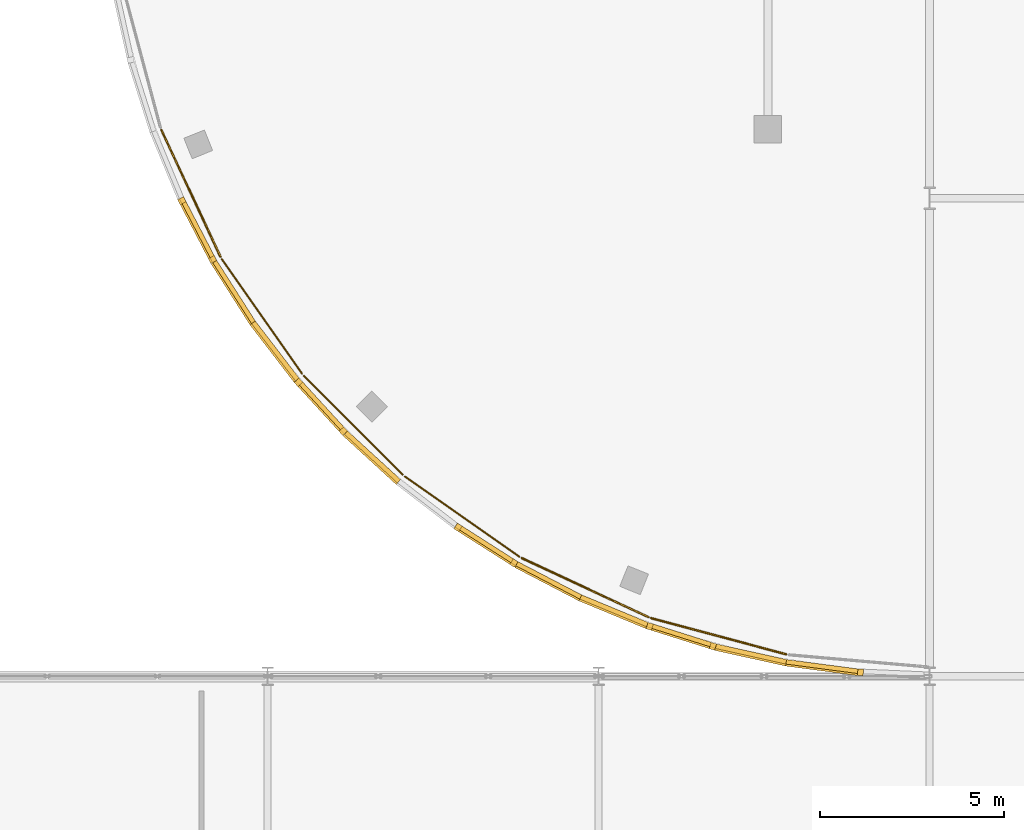
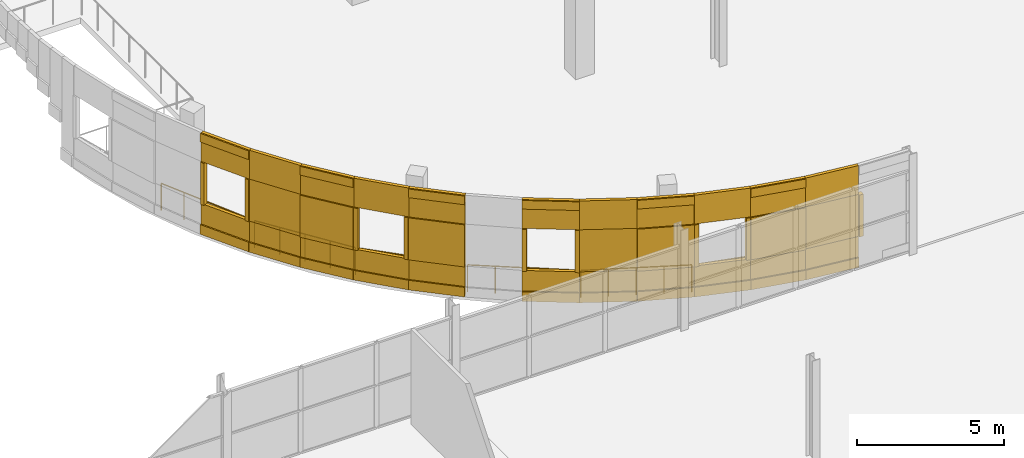
# One storey, part 122 of 135: 55 coverings, 6 railings.
"""IFC4 building model written with IfcOpenShell, lengths in metres."""

from ifc_helpers import new_model, si_unit, direction, frame, origin, origin_2d, place, context, subcontext, project, spatial, rectangle, circle, extrude, material, layer, layer_set, type_object, element, save


model = new_model("IFC4")

# Units and contexts
model_context = context("Model", 3, precision=1e-05, world=origin(), true_north=direction((0.0, 1.0)))
body_context = subcontext(model_context, "Body", "Model", "MODEL_VIEW")
ifc_project = project(units=[si_unit("LENGTHUNIT", "METRE"), si_unit("AREAUNIT", "SQUARE_METRE"), si_unit("VOLUMEUNIT", "CUBIC_METRE"), si_unit("PLANEANGLEUNIT", "RADIAN"), si_unit("MASSUNIT", "GRAM", prefix="KILO")], contexts=[model_context])

# Site, building, storey
site_placement = place(None, origin())
site = spatial("IfcSite", under=ifc_project, at=site_placement, CompositionType="ELEMENT")
building_placement = place(site_placement, origin())
building = spatial("IfcBuilding", under=site, at=building_placement, Name="Deido Ridge Mobility Hub", CompositionType="ELEMENT")
storey_placement = place(building_placement, frame((0.0, 0.0, 4.199951171875)))
storey = spatial("IfcBuildingStorey", under=building, at=storey_placement, Name="L01", CompositionType="ELEMENT", Elevation=4.199951171875)

# Coverings
ifc_material_1 = material(Name="Fired clay brick masonry", Category="masonry")
ifc_layer = layer(ifc_material_1, 0.114990234375, Name="Fired clay brick masonry")
ifc_layer_set = layer_set([ifc_layer], Name="Fired clay brick masonry")
covering_type = type_object("IfcCoveringType", Name="COV-BRK-SCREEN-115", PredefinedType="CLADDING", material=ifc_layer_set)
covering_1_placement = place(storey_placement, frame((25.107666015625, 93.144775390625, 0.0), z_axis=(0.0, 0.0, 1.0), x_axis=(0.461733131905, -0.887018892077, 0.0)))
element("IfcCovering", 1, at=covering_1_placement, inside=storey, type_object=covering_type, Name="Open brickwork spandrel course BKS1 (L01)", PredefinedType="CLADDING", context=body_context, shape_type="SweptSolid", body=[
    extrude(rectangle(XDim=1.9619140625, YDim=0.125, at=origin_2d()), origin(), (0.0, 0.0, 1.0), 1.25),
])
covering_2_placement = place(storey_placement, frame((25.083251953125, 93.132080078125, 0.0), z_axis=(0.0, 0.0, 1.0), x_axis=(0.461733131905, -0.887018892077, 0.0)))
element("IfcCovering", 2, at=covering_2_placement, inside=storey, type_object=covering_type, Name="Raised brick relief belt BKS1 (L01)", PredefinedType="CLADDING", context=body_context, shape_type="SweptSolid", body=[
    extrude(rectangle(XDim=1.9619140625, YDim=0.179931640625, at=origin_2d()), origin(), (0.0, 0.0, 1.0), 0.39990234375),
])
covering_3_placement = place(storey_placement, frame((25.107666015625, 93.144775390625, 3.0), z_axis=(0.0, 0.0, 1.0), x_axis=(0.461733131905, -0.887018892077, 0.0)))
element("IfcCovering", 3, at=covering_3_placement, inside=storey, type_object=covering_type, Name="Open brickwork lintel course BKS1 (L01)", PredefinedType="CLADDING", context=body_context, shape_type="SweptSolid", body=[
    extrude(rectangle(XDim=1.9619140625, YDim=0.125, at=origin_2d()), origin(), (0.0, 0.0, 1.0), 1.199951171875),
])
covering_4_placement = place(storey_placement, frame((25.083251953125, 93.132080078125, 3.83984375), z_axis=(0.0, 0.0, 1.0), x_axis=(0.461733131905, -0.887018892077, 0.0)))
element("IfcCovering", 4, at=covering_4_placement, inside=storey, type_object=covering_type, Name="Raised brick relief cornice BKS1 (L01)", PredefinedType="CLADDING", context=body_context, shape_type="SweptSolid", body=[
    extrude(rectangle(XDim=1.9619140625, YDim=0.179931640625, at=origin_2d()), origin(), (0.0, 0.0, 1.0), 0.360107421875),
])
for number, where, z_axis, x_axis, name in (
    (5, (24.667236328125, 93.931396484375, 1.25), (0.0, 0.0, 1.0), (0.461733131905, -0.887018892077, 0.0), "Curved brick jamb nib BKS1 (L01)"),
    (6, (25.49951171875, 92.332763671875, 1.25), (0.0, 0.0, 1.0), (0.461733131905, -0.887018892077, 0.0), "Curved brick jamb nib BKS1 (L01)"),
):
    element("IfcCovering", number, at=place(storey_placement, frame(where, z_axis=z_axis, x_axis=x_axis)), inside=storey, type_object=covering_type, Name=name, PredefinedType="CLADDING", context=body_context, shape_type="SweptSolid", body=[
        extrude(rectangle(XDim=0.152099609375, YDim=0.179931640625, at=origin_2d()), origin(), (0.0, 0.0, 1.0), 1.75),
    ])
covering_5_placement = place(storey_placement, frame((26.0859375, 91.450439453125, 0.0), z_axis=(0.0, 0.0, 1.0), x_axis=(0.537314328223, -0.843382068037, 0.0)))
element("IfcCovering", 7, at=covering_5_placement, inside=storey, type_object=covering_type, Name="Open brickwork spandrel course BKS1 (L01)", PredefinedType="CLADDING", context=body_context, shape_type="SweptSolid", body=[
    extrude(rectangle(XDim=1.9619140625, YDim=0.125, at=origin_2d()), origin(), (0.0, 0.0, 1.0), 1.25),
])
covering_6_placement = place(storey_placement, frame((26.062744140625, 91.435791015625, 0.0), z_axis=(0.0, 0.0, 1.0), x_axis=(0.537314328223, -0.843382068037, 0.0)))
element("IfcCovering", 8, at=covering_6_placement, inside=storey, type_object=covering_type, Name="Raised brick relief belt BKS1 (L01)", PredefinedType="CLADDING", context=body_context, shape_type="SweptSolid", body=[
    extrude(rectangle(XDim=1.9619140625, YDim=0.179931640625, at=origin_2d()), origin(), (0.0, 0.0, 1.0), 0.39990234375),
])
covering_7_placement = place(storey_placement, frame((26.0859375, 91.450439453125, 3.0), z_axis=(0.0, 0.0, 1.0), x_axis=(0.537314328223, -0.843382068037, 0.0)))
element("IfcCovering", 9, at=covering_7_placement, inside=storey, type_object=covering_type, Name="Open brickwork lintel course BKS1 (L01)", PredefinedType="CLADDING", context=body_context, shape_type="SweptSolid", body=[
    extrude(rectangle(XDim=1.9619140625, YDim=0.125, at=origin_2d()), origin(), (0.0, 0.0, 1.0), 1.199951171875),
])
covering_8_placement = place(storey_placement, frame((26.0859375, 91.450439453125, 1.25), z_axis=(0.0, 0.0, 1.0), x_axis=(0.537314328223, -0.843382068037, 0.0)))
element("IfcCovering", 10, at=covering_8_placement, inside=storey, type_object=covering_type, Name="Curved raised brickwork pier BKS1 (L01)", PredefinedType="CLADDING", context=body_context, shape_type="SweptSolid", body=[
    extrude(rectangle(XDim=1.9619140625, YDim=0.125, at=origin_2d()), origin(), (0.0, 0.0, 1.0), 1.75),
])
covering_9_placement = place(storey_placement, frame((27.2080078125, 89.847900390625, 0.0), z_axis=(0.0, 0.0, 1.0), x_axis=(0.608761429009, -0.793353340291, 0.0)))
element("IfcCovering", 11, at=covering_9_placement, inside=storey, type_object=covering_type, Name="Open brickwork spandrel course BKS1 (L01)", PredefinedType="CLADDING", context=body_context, shape_type="SweptSolid", body=[
    extrude(rectangle(XDim=1.9619140625, YDim=0.125, at=origin_2d()), origin(), (0.0, 0.0, 1.0), 1.25),
])
covering_10_placement = place(storey_placement, frame((27.186279296875, 89.8310546875, 0.0), z_axis=(0.0, 0.0, 1.0), x_axis=(0.608761429009, -0.793353340291, 0.0)))
element("IfcCovering", 12, at=covering_10_placement, inside=storey, type_object=covering_type, Name="Raised brick relief belt BKS1 (L01)", PredefinedType="CLADDING", context=body_context, shape_type="SweptSolid", body=[
    extrude(rectangle(XDim=1.9619140625, YDim=0.179931640625, at=origin_2d()), origin(), (0.0, 0.0, 1.0), 0.39990234375),
])
covering_11_placement = place(storey_placement, frame((27.2080078125, 89.847900390625, 3.0), z_axis=(0.0, 0.0, 1.0), x_axis=(0.608761429009, -0.793353340291, 0.0)))
element("IfcCovering", 13, at=covering_11_placement, inside=storey, type_object=covering_type, Name="Open brickwork lintel course BKS1 (L01)", PredefinedType="CLADDING", context=body_context, shape_type="SweptSolid", body=[
    extrude(rectangle(XDim=1.9619140625, YDim=0.125, at=origin_2d()), origin(), (0.0, 0.0, 1.0), 1.199951171875),
])
covering_12_placement = place(storey_placement, frame((27.186279296875, 89.8310546875, 3.83984375), z_axis=(0.0, 0.0, 1.0), x_axis=(0.608761429009, -0.793353340291, 0.0)))
element("IfcCovering", 14, at=covering_12_placement, inside=storey, type_object=covering_type, Name="Raised brick relief cornice BKS1 (L01)", PredefinedType="CLADDING", context=body_context, shape_type="SweptSolid", body=[
    extrude(rectangle(XDim=1.9619140625, YDim=0.179931640625, at=origin_2d()), origin(), (0.0, 0.0, 1.0), 0.360107421875),
])
covering_13_placement = place(storey_placement, frame((27.186279296875, 89.8310546875, 1.25), z_axis=(0.0, 0.0, 1.0), x_axis=(0.608761429009, -0.793353340291, 0.0)))
element("IfcCovering", 15, at=covering_13_placement, inside=storey, type_object=covering_type, Name="Curved raised brickwork pier BKS1 (L01)", PredefinedType="CLADDING", context=body_context, shape_type="SweptSolid", body=[
    extrude(rectangle(XDim=1.9619140625, YDim=0.179931640625, at=origin_2d()), origin(), (0.0, 0.0, 1.0), 1.75),
])
covering_14_placement = place(storey_placement, frame((28.4658203125, 88.34912109375, 0.0), z_axis=(0.0, 0.0, 1.0), x_axis=(0.675577339596, -0.737289127971, 0.0)))
element("IfcCovering", 16, at=covering_14_placement, inside=storey, type_object=covering_type, Name="Open brickwork spandrel course BKS1 (L01)", PredefinedType="CLADDING", context=body_context, shape_type="SweptSolid", body=[
    extrude(rectangle(XDim=1.9619140625, YDim=0.125, at=origin_2d()), origin(), (0.0, 0.0, 1.0), 1.25),
])
covering_15_placement = place(storey_placement, frame((28.4453125, 88.33056640625, 0.0), z_axis=(0.0, 0.0, 1.0), x_axis=(0.675577339596, -0.737289127971, 0.0)))
element("IfcCovering", 17, at=covering_15_placement, inside=storey, type_object=covering_type, Name="Raised brick relief belt BKS1 (L01)", PredefinedType="CLADDING", context=body_context, shape_type="SweptSolid", body=[
    extrude(rectangle(XDim=1.9619140625, YDim=0.179931640625, at=origin_2d()), origin(), (0.0, 0.0, 1.0), 0.39990234375),
])
covering_16_placement = place(storey_placement, frame((28.4658203125, 88.34912109375, 3.0), z_axis=(0.0, 0.0, 1.0), x_axis=(0.675577339596, -0.737289127971, 0.0)))
element("IfcCovering", 18, at=covering_16_placement, inside=storey, type_object=covering_type, Name="Open brickwork lintel course BKS1 (L01)", PredefinedType="CLADDING", context=body_context, shape_type="SweptSolid", body=[
    extrude(rectangle(XDim=1.9619140625, YDim=0.125, at=origin_2d()), origin(), (0.0, 0.0, 1.0), 1.199951171875),
])
for number, where, z_axis, x_axis, name in (
    (19, (27.836669921875, 88.994873046875, 1.25), (0.0, 0.0, 1.0), (0.675577339596, -0.737289127971, 0.0), "Curved brick jamb nib BKS1 (L01)"),
    (20, (29.05419921875, 87.666259765625, 1.25), (0.0, 0.0, 1.0), (0.675577339596, -0.737289127971, 0.0), "Curved brick jamb nib BKS1 (L01)"),
):
    element("IfcCovering", number, at=place(storey_placement, frame(where, z_axis=z_axis, x_axis=x_axis)), inside=storey, type_object=covering_type, Name=name, PredefinedType="CLADDING", context=body_context, shape_type="SweptSolid", body=[
        extrude(rectangle(XDim=0.152099609375, YDim=0.179931640625, at=origin_2d()), origin(), (0.0, 0.0, 1.0), 1.75),
    ])
covering_17_placement = place(storey_placement, frame((29.84912109375, 86.9658203125, 0.0), z_axis=(0.0, 0.0, 1.0), x_axis=(0.737289127971, -0.675577339596, 0.0)))
element("IfcCovering", 21, at=covering_17_placement, inside=storey, type_object=covering_type, Name="Open brickwork spandrel course BKS1 (L01)", PredefinedType="CLADDING", context=body_context, shape_type="SweptSolid", body=[
    extrude(rectangle(XDim=1.9619140625, YDim=0.125, at=origin_2d()), origin(), (0.0, 0.0, 1.0), 1.25),
])
covering_18_placement = place(storey_placement, frame((29.83056640625, 86.9453125, 0.0), z_axis=(0.0, 0.0, 1.0), x_axis=(0.737289127971, -0.675577339596, 0.0)))
element("IfcCovering", 22, at=covering_18_placement, inside=storey, type_object=covering_type, Name="Raised brick relief belt BKS1 (L01)", PredefinedType="CLADDING", context=body_context, shape_type="SweptSolid", body=[
    extrude(rectangle(XDim=1.9619140625, YDim=0.179931640625, at=origin_2d()), origin(), (0.0, 0.0, 1.0), 0.39990234375),
])
covering_19_placement = place(storey_placement, frame((29.84912109375, 86.9658203125, 3.0), z_axis=(0.0, 0.0, 1.0), x_axis=(0.737289127971, -0.675577339596, 0.0)))
element("IfcCovering", 23, at=covering_19_placement, inside=storey, type_object=covering_type, Name="Open brickwork lintel course BKS1 (L01)", PredefinedType="CLADDING", context=body_context, shape_type="SweptSolid", body=[
    extrude(rectangle(XDim=1.9619140625, YDim=0.125, at=origin_2d()), origin(), (0.0, 0.0, 1.0), 1.199951171875),
])
covering_20_placement = place(storey_placement, frame((29.83056640625, 86.9453125, 3.83984375), z_axis=(0.0, 0.0, 1.0), x_axis=(0.737289127971, -0.675577339596, 0.0)))
element("IfcCovering", 24, at=covering_20_placement, inside=storey, type_object=covering_type, Name="Raised brick relief cornice BKS1 (L01)", PredefinedType="CLADDING", context=body_context, shape_type="SweptSolid", body=[
    extrude(rectangle(XDim=1.9619140625, YDim=0.179931640625, at=origin_2d()), origin(), (0.0, 0.0, 1.0), 0.360107421875),
])
covering_21_placement = place(storey_placement, frame((29.83056640625, 86.9453125, 1.25), z_axis=(0.0, 0.0, 1.0), x_axis=(0.737289127971, -0.675577339596, 0.0)))
element("IfcCovering", 25, at=covering_21_placement, inside=storey, type_object=covering_type, Name="Curved raised brickwork pier BKS1 (L01)", PredefinedType="CLADDING", context=body_context, shape_type="SweptSolid", body=[
    extrude(rectangle(XDim=1.9619140625, YDim=0.179931640625, at=origin_2d()), origin(), (0.0, 0.0, 1.0), 1.75),
])
covering_22_placement = place(storey_placement, frame((32.950439453125, 84.5859375, 0.0), z_axis=(0.0, 0.0, 1.0), x_axis=(0.843382068037, -0.537314328223, 0.0)))
element("IfcCovering", 26, at=covering_22_placement, inside=storey, type_object=covering_type, Name="Open brickwork spandrel course BKS1 (L01)", PredefinedType="CLADDING", context=body_context, shape_type="SweptSolid", body=[
    extrude(rectangle(XDim=1.9619140625, YDim=0.125, at=origin_2d()), origin(), (0.0, 0.0, 1.0), 1.25),
])
covering_23_placement = place(storey_placement, frame((32.935791015625, 84.562744140625, 0.0), z_axis=(0.0, 0.0, 1.0), x_axis=(0.843382068037, -0.537314328223, 0.0)))
element("IfcCovering", 27, at=covering_23_placement, inside=storey, type_object=covering_type, Name="Raised brick relief belt BKS1 (L01)", PredefinedType="CLADDING", context=body_context, shape_type="SweptSolid", body=[
    extrude(rectangle(XDim=1.9619140625, YDim=0.179931640625, at=origin_2d()), origin(), (0.0, 0.0, 1.0), 0.39990234375),
])
covering_24_placement = place(storey_placement, frame((32.950439453125, 84.5859375, 3.0), z_axis=(0.0, 0.0, 1.0), x_axis=(0.843382068037, -0.537314328223, 0.0)))
element("IfcCovering", 28, at=covering_24_placement, inside=storey, type_object=covering_type, Name="Open brickwork lintel course BKS1 (L01)", PredefinedType="CLADDING", context=body_context, shape_type="SweptSolid", body=[
    extrude(rectangle(XDim=1.9619140625, YDim=0.125, at=origin_2d()), origin(), (0.0, 0.0, 1.0), 1.199951171875),
])
covering_25_placement = place(storey_placement, frame((32.935791015625, 84.562744140625, 3.83984375), z_axis=(0.0, 0.0, 1.0), x_axis=(0.843382068037, -0.537314328223, 0.0)))
element("IfcCovering", 29, at=covering_25_placement, inside=storey, type_object=covering_type, Name="Raised brick relief cornice BKS1 (L01)", PredefinedType="CLADDING", context=body_context, shape_type="SweptSolid", body=[
    extrude(rectangle(XDim=1.9619140625, YDim=0.179931640625, at=origin_2d()), origin(), (0.0, 0.0, 1.0), 0.360107421875),
])
for number, where, z_axis, x_axis, name in (
    (30, (32.17578125, 85.046875, 1.25), (0.0, 0.0, 1.0), (0.843382068037, -0.537314328223, 0.0), "Curved brick jamb nib BKS1 (L01)"),
    (31, (33.695556640625, 84.07861328125, 1.25), (0.0, 0.0, 1.0), (0.843382068037, -0.537314328223, 0.0), "Curved brick jamb nib BKS1 (L01)"),
):
    element("IfcCovering", number, at=place(storey_placement, frame(where, z_axis=z_axis, x_axis=x_axis)), inside=storey, type_object=covering_type, Name=name, PredefinedType="CLADDING", context=body_context, shape_type="SweptSolid", body=[
        extrude(rectangle(XDim=0.152099609375, YDim=0.179931640625, at=origin_2d()), origin(), (0.0, 0.0, 1.0), 1.75),
    ])
covering_26_placement = place(storey_placement, frame((34.644775390625, 83.607666015625, 0.0), z_axis=(0.0, 0.0, 1.0), x_axis=(0.887018892077, -0.461733131905, 0.0)))
element("IfcCovering", 32, at=covering_26_placement, inside=storey, type_object=covering_type, Name="Open brickwork spandrel course BKS1 (L01)", PredefinedType="CLADDING", context=body_context, shape_type="SweptSolid", body=[
    extrude(rectangle(XDim=1.9619140625, YDim=0.125, at=origin_2d()), origin(), (0.0, 0.0, 1.0), 1.25),
])
covering_27_placement = place(storey_placement, frame((34.632080078125, 83.583251953125, 0.0), z_axis=(0.0, 0.0, 1.0), x_axis=(0.887018892077, -0.461733131905, 0.0)))
element("IfcCovering", 33, at=covering_27_placement, inside=storey, type_object=covering_type, Name="Raised brick relief belt BKS1 (L01)", PredefinedType="CLADDING", context=body_context, shape_type="SweptSolid", body=[
    extrude(rectangle(XDim=1.9619140625, YDim=0.179931640625, at=origin_2d()), origin(), (0.0, 0.0, 1.0), 0.39990234375),
])
covering_28_placement = place(storey_placement, frame((34.644775390625, 83.607666015625, 3.0), z_axis=(0.0, 0.0, 1.0), x_axis=(0.887018892077, -0.461733131905, 0.0)))
element("IfcCovering", 34, at=covering_28_placement, inside=storey, type_object=covering_type, Name="Open brickwork lintel course BKS1 (L01)", PredefinedType="CLADDING", context=body_context, shape_type="SweptSolid", body=[
    extrude(rectangle(XDim=1.9619140625, YDim=0.125, at=origin_2d()), origin(), (0.0, 0.0, 1.0), 1.199951171875),
])
covering_29_placement = place(storey_placement, frame((34.644775390625, 83.607666015625, 1.25), z_axis=(0.0, 0.0, 1.0), x_axis=(0.887018892077, -0.461733131905, 0.0)))
element("IfcCovering", 35, at=covering_29_placement, inside=storey, type_object=covering_type, Name="Curved raised brickwork pier BKS1 (L01)", PredefinedType="CLADDING", context=body_context, shape_type="SweptSolid", body=[
    extrude(rectangle(XDim=1.9619140625, YDim=0.125, at=origin_2d()), origin(), (0.0, 0.0, 1.0), 1.75),
])
covering_30_placement = place(storey_placement, frame((36.41796875, 82.781005859375, 0.0), z_axis=(0.0, 0.0, 1.0), x_axis=(0.923872853285, -0.382699557047, 0.0)))
element("IfcCovering", 36, at=covering_30_placement, inside=storey, type_object=covering_type, Name="Open brickwork spandrel course BKS1 (L01)", PredefinedType="CLADDING", context=body_context, shape_type="SweptSolid", body=[
    extrude(rectangle(XDim=1.9619140625, YDim=0.125, at=origin_2d()), origin(), (0.0, 0.0, 1.0), 1.25),
])
covering_31_placement = place(storey_placement, frame((36.4072265625, 82.755615234375, 0.0), z_axis=(0.0, 0.0, 1.0), x_axis=(0.923872853285, -0.382699557047, 0.0)))
element("IfcCovering", 37, at=covering_31_placement, inside=storey, type_object=covering_type, Name="Raised brick relief belt BKS1 (L01)", PredefinedType="CLADDING", context=body_context, shape_type="SweptSolid", body=[
    extrude(rectangle(XDim=1.9619140625, YDim=0.179931640625, at=origin_2d()), origin(), (0.0, 0.0, 1.0), 0.39990234375),
])
covering_32_placement = place(storey_placement, frame((36.41796875, 82.781005859375, 3.0), z_axis=(0.0, 0.0, 1.0), x_axis=(0.923872853285, -0.382699557047, 0.0)))
element("IfcCovering", 38, at=covering_32_placement, inside=storey, type_object=covering_type, Name="Open brickwork lintel course BKS1 (L01)", PredefinedType="CLADDING", context=body_context, shape_type="SweptSolid", body=[
    extrude(rectangle(XDim=1.9619140625, YDim=0.125, at=origin_2d()), origin(), (0.0, 0.0, 1.0), 1.199951171875),
])
covering_33_placement = place(storey_placement, frame((36.4072265625, 82.755615234375, 3.83984375), z_axis=(0.0, 0.0, 1.0), x_axis=(0.923872853285, -0.382699557047, 0.0)))
element("IfcCovering", 39, at=covering_33_placement, inside=storey, type_object=covering_type, Name="Raised brick relief cornice BKS1 (L01)", PredefinedType="CLADDING", context=body_context, shape_type="SweptSolid", body=[
    extrude(rectangle(XDim=1.9619140625, YDim=0.179931640625, at=origin_2d()), origin(), (0.0, 0.0, 1.0), 0.360107421875),
])
covering_34_placement = place(storey_placement, frame((36.4072265625, 82.755615234375, 1.25), z_axis=(0.0, 0.0, 1.0), x_axis=(0.923872853285, -0.382699557047, 0.0)))
element("IfcCovering", 40, at=covering_34_placement, inside=storey, type_object=covering_type, Name="Curved raised brickwork pier BKS1 (L01)", PredefinedType="CLADDING", context=body_context, shape_type="SweptSolid", body=[
    extrude(rectangle(XDim=1.9619140625, YDim=0.179931640625, at=origin_2d()), origin(), (0.0, 0.0, 1.0), 1.75),
])
covering_35_placement = place(storey_placement, frame((38.25634765625, 82.11181640625, 0.0), z_axis=(0.0, 0.0, 1.0), x_axis=(0.95372744678, -0.300672508319, 0.0)))
element("IfcCovering", 41, at=covering_35_placement, inside=storey, type_object=covering_type, Name="Open brickwork spandrel course BKS1 (L01)", PredefinedType="CLADDING", context=body_context, shape_type="SweptSolid", body=[
    extrude(rectangle(XDim=1.9619140625, YDim=0.125, at=origin_2d()), origin(), (0.0, 0.0, 1.0), 1.25),
])
covering_36_placement = place(storey_placement, frame((38.248046875, 82.085693359375, 0.0), z_axis=(0.0, 0.0, 1.0), x_axis=(0.95372744678, -0.300672508319, 0.0)))
element("IfcCovering", 42, at=covering_36_placement, inside=storey, type_object=covering_type, Name="Raised brick relief belt BKS1 (L01)", PredefinedType="CLADDING", context=body_context, shape_type="SweptSolid", body=[
    extrude(rectangle(XDim=1.9619140625, YDim=0.179931640625, at=origin_2d()), origin(), (0.0, 0.0, 1.0), 0.39990234375),
])
covering_37_placement = place(storey_placement, frame((38.25634765625, 82.11181640625, 3.0), z_axis=(0.0, 0.0, 1.0), x_axis=(0.95372744678, -0.300672508319, 0.0)))
element("IfcCovering", 43, at=covering_37_placement, inside=storey, type_object=covering_type, Name="Open brickwork lintel course BKS1 (L01)", PredefinedType="CLADDING", context=body_context, shape_type="SweptSolid", body=[
    extrude(rectangle(XDim=1.9619140625, YDim=0.125, at=origin_2d()), origin(), (0.0, 0.0, 1.0), 1.199951171875),
])
for number, where, z_axis, x_axis, name in (
    (44, (37.388671875, 82.3564453125, 1.25), (0.0, 0.0, 1.0), (0.95372744678, -0.300672508319, 0.0), "Curved brick jamb nib BKS1 (L01)"),
    (45, (39.107421875, 81.814697265625, 1.25), (0.0, 0.0, 1.0), (0.95372744678, -0.300672508319, 0.0), "Curved brick jamb nib BKS1 (L01)"),
):
    element("IfcCovering", number, at=place(storey_placement, frame(where, z_axis=z_axis, x_axis=x_axis)), inside=storey, type_object=covering_type, Name=name, PredefinedType="CLADDING", context=body_context, shape_type="SweptSolid", body=[
        extrude(rectangle(XDim=0.152099609375, YDim=0.179931640625, at=origin_2d()), origin(), (0.0, 0.0, 1.0), 1.75),
    ])
covering_38_placement = place(storey_placement, frame((40.14599609375, 81.60546875, 0.0), z_axis=(0.0, 0.0, 1.0), x_axis=(0.976292229387, -0.216456653485, 0.0)))
element("IfcCovering", 46, at=covering_38_placement, inside=storey, type_object=covering_type, Name="Open brickwork spandrel course BKS1 (L01)", PredefinedType="CLADDING", context=body_context, shape_type="SweptSolid", body=[
    extrude(rectangle(XDim=1.9619140625, YDim=0.125, at=origin_2d()), origin(), (0.0, 0.0, 1.0), 1.25),
])
covering_39_placement = place(storey_placement, frame((40.14013671875, 81.57861328125, 0.0), z_axis=(0.0, 0.0, 1.0), x_axis=(0.976292229387, -0.216456653485, 0.0)))
element("IfcCovering", 47, at=covering_39_placement, inside=storey, type_object=covering_type, Name="Raised brick relief belt BKS1 (L01)", PredefinedType="CLADDING", context=body_context, shape_type="SweptSolid", body=[
    extrude(rectangle(XDim=1.9619140625, YDim=0.179931640625, at=origin_2d()), origin(), (0.0, 0.0, 1.0), 0.39990234375),
])
covering_40_placement = place(storey_placement, frame((40.14599609375, 81.60546875, 3.0), z_axis=(0.0, 0.0, 1.0), x_axis=(0.976292229387, -0.216456653485, 0.0)))
element("IfcCovering", 48, at=covering_40_placement, inside=storey, type_object=covering_type, Name="Open brickwork lintel course BKS1 (L01)", PredefinedType="CLADDING", context=body_context, shape_type="SweptSolid", body=[
    extrude(rectangle(XDim=1.9619140625, YDim=0.125, at=origin_2d()), origin(), (0.0, 0.0, 1.0), 1.199951171875),
])
covering_41_placement = place(storey_placement, frame((40.14013671875, 81.57861328125, 3.83984375), z_axis=(0.0, 0.0, 1.0), x_axis=(0.976292229387, -0.216456653485, 0.0)))
element("IfcCovering", 49, at=covering_41_placement, inside=storey, type_object=covering_type, Name="Raised brick relief cornice BKS1 (L01)", PredefinedType="CLADDING", context=body_context, shape_type="SweptSolid", body=[
    extrude(rectangle(XDim=1.9619140625, YDim=0.179931640625, at=origin_2d()), origin(), (0.0, 0.0, 1.0), 0.360107421875),
])
covering_42_placement = place(storey_placement, frame((40.14013671875, 81.57861328125, 1.25), z_axis=(0.0, 0.0, 1.0), x_axis=(0.976292229387, -0.216456653485, 0.0)))
element("IfcCovering", 50, at=covering_42_placement, inside=storey, type_object=covering_type, Name="Curved raised brickwork pier BKS1 (L01)", PredefinedType="CLADDING", context=body_context, shape_type="SweptSolid", body=[
    extrude(rectangle(XDim=1.9619140625, YDim=0.179931640625, at=origin_2d()), origin(), (0.0, 0.0, 1.0), 1.75),
])
covering_43_placement = place(storey_placement, frame((42.07275390625, 81.265625, 0.0), z_axis=(0.0, 0.0, 1.0), x_axis=(0.991442583111, -0.130543496177, 0.0)))
element("IfcCovering", 51, at=covering_43_placement, inside=storey, type_object=covering_type, Name="Open brickwork spandrel course BKS1 (L01)", PredefinedType="CLADDING", context=body_context, shape_type="SweptSolid", body=[
    extrude(rectangle(XDim=1.9619140625, YDim=0.125, at=origin_2d()), origin(), (0.0, 0.0, 1.0), 1.25),
])
covering_44_placement = place(storey_placement, frame((42.069091796875, 81.23828125, 0.0), z_axis=(0.0, 0.0, 1.0), x_axis=(0.991442583111, -0.130543496177, 0.0)))
element("IfcCovering", 52, at=covering_44_placement, inside=storey, type_object=covering_type, Name="Raised brick relief belt BKS1 (L01)", PredefinedType="CLADDING", context=body_context, shape_type="SweptSolid", body=[
    extrude(rectangle(XDim=1.9619140625, YDim=0.179931640625, at=origin_2d()), origin(), (0.0, 0.0, 1.0), 0.39990234375),
])
covering_45_placement = place(storey_placement, frame((42.07275390625, 81.265625, 3.0), z_axis=(0.0, 0.0, 1.0), x_axis=(0.991442583111, -0.130543496177, 0.0)))
element("IfcCovering", 53, at=covering_45_placement, inside=storey, type_object=covering_type, Name="Open brickwork lintel course BKS1 (L01)", PredefinedType="CLADDING", context=body_context, shape_type="SweptSolid", body=[
    extrude(rectangle(XDim=1.9619140625, YDim=0.125, at=origin_2d()), origin(), (0.0, 0.0, 1.0), 1.199951171875),
])
covering_46_placement = place(storey_placement, frame((42.07275390625, 81.265625, 1.25), z_axis=(0.0, 0.0, 1.0), x_axis=(0.991442583111, -0.130543496177, 0.0)))
element("IfcCovering", 54, at=covering_46_placement, inside=storey, type_object=covering_type, Name="Curved raised brickwork pier BKS1 (L01)", PredefinedType="CLADDING", context=body_context, shape_type="SweptSolid", body=[
    extrude(rectangle(XDim=1.9619140625, YDim=0.125, at=origin_2d()), origin(), (0.0, 0.0, 1.0), 1.75),
])
covering_47_placement = place(storey_placement, frame((43.120361328125, 81.10693359375, 1.25), z_axis=(0.0, 0.0, 1.0), x_axis=(0.999048982732, -0.043601950678, 0.0)))
element("IfcCovering", 55, at=covering_47_placement, inside=storey, type_object=covering_type, Name="Curved brick jamb nib BKS1 (L01)", PredefinedType="CLADDING", context=body_context, shape_type="SweptSolid", body=[
    extrude(rectangle(XDim=0.152099609375, YDim=0.179931640625, at=origin_2d()), origin(), (0.0, 0.0, 1.0), 1.75),
])

# Railings
ifc_material_2 = material(Name="Galvanised steel work", Category="steel")
railing_type = type_object("IfcRailingType", Name="RL-GRD-EXT-1150", PredefinedType="GUARDRAIL", material=ifc_material_2)
railing_1_placement = place(storey_placement, frame((24.108642578125, 95.853759765625, 0.0)))
element("IfcRailing", 56, at=railing_1_placement, inside=storey, type_object=railing_type, Name="Parking drum perimeter guard (L01)", PredefinedType="GUARDRAIL", context=body_context, shape_type="SweptSolid", body=[
    extrude(circle(Radius=0.02392578125, at=origin_2d()), frame((0.0, 0.0, 1.1259765625), z_axis=(0.422674330627, -0.906281639574, 0.0), x_axis=(0.906281639574, 0.422674330627, 0.0)), (0.0, 0.0, 1.0), 3.79833984375),
    extrude(circle(Radius=0.02099609375, at=origin_2d()), origin(), (0.0, 0.0, 1.0), 1.101806640625),
    extrude(circle(Radius=0.02099609375, at=origin_2d()), frame((0.4013671875, -0.860595703125, 0.0)), (0.0, 0.0, 1.0), 1.101806640625),
    extrude(circle(Radius=0.02099609375, at=origin_2d()), frame((0.802734375, -1.72119140625, 0.0)), (0.0, 0.0, 1.0), 1.101806640625),
    extrude(circle(Radius=0.02099609375, at=origin_2d()), frame((1.2041015625, -2.581787109375, 0.0)), (0.0, 0.0, 1.0), 1.101806640625),
    extrude(circle(Radius=0.02099609375, at=origin_2d()), frame((1.60546875, -3.4423828125, 0.0)), (0.0, 0.0, 1.0), 1.101806640625),
])
railing_2_placement = place(storey_placement, frame((25.75390625, 92.34228515625, 0.0)))
element("IfcRailing", 57, at=railing_2_placement, inside=storey, type_object=railing_type, Name="Parking drum perimeter guard (L01)", PredefinedType="GUARDRAIL", context=body_context, shape_type="SweptSolid", body=[
    extrude(circle(Radius=0.02392578125, at=origin_2d()), frame((0.0, 0.0, 1.1259765625), z_axis=(0.573570179609, -0.819156425271, 0.0), x_axis=(0.819156425271, 0.573570179609, 0.0)), (0.0, 0.0, 1.0), 3.798583984375),
    extrude(circle(Radius=0.02099609375, at=origin_2d()), origin(), (0.0, 0.0, 1.0), 1.101806640625),
    extrude(circle(Radius=0.02099609375, at=origin_2d()), frame((0.544677734375, -0.77783203125, 0.0)), (0.0, 0.0, 1.0), 1.101806640625),
    extrude(circle(Radius=0.02099609375, at=origin_2d()), frame((1.08935546875, -1.5556640625, 0.0)), (0.0, 0.0, 1.0), 1.101806640625),
    extrude(circle(Radius=0.02099609375, at=origin_2d()), frame((1.634033203125, -2.333740234375, 0.0)), (0.0, 0.0, 1.0), 1.101806640625),
    extrude(circle(Radius=0.02099609375, at=origin_2d()), frame((2.1787109375, -3.111572265625, 0.0)), (0.0, 0.0, 1.0), 1.101806640625),
])
railing_3_placement = place(storey_placement, frame((27.98388671875, 89.169677734375, 0.0)))
element("IfcRailing", 58, at=railing_3_placement, inside=storey, type_object=railing_type, Name="Parking drum perimeter guard (L01)", PredefinedType="GUARDRAIL", context=body_context, shape_type="SweptSolid", body=[
    extrude(circle(Radius=0.02392578125, at=origin_2d()), frame((0.0, 0.0, 1.1259765625), z_axis=(0.707106781187, -0.707106781187, 0.0), x_axis=(0.707106781187, 0.707106781187, 0.0)), (0.0, 0.0, 1.0), 3.79833984375),
    extrude(circle(Radius=0.02099609375, at=origin_2d()), origin(), (0.0, 0.0, 1.0), 1.101806640625),
    extrude(circle(Radius=0.02099609375, at=origin_2d()), frame((0.67138671875, -0.67138671875, 0.0)), (0.0, 0.0, 1.0), 1.101806640625),
    extrude(circle(Radius=0.02099609375, at=origin_2d()), frame((1.3427734375, -1.3427734375, 0.0)), (0.0, 0.0, 1.0), 1.101806640625),
    extrude(circle(Radius=0.02099609375, at=origin_2d()), frame((2.014404296875, -2.014404296875, 0.0)), (0.0, 0.0, 1.0), 1.101806640625),
    extrude(circle(Radius=0.02099609375, at=origin_2d()), frame((2.685791015625, -2.685791015625, 0.0)), (0.0, 0.0, 1.0), 1.101806640625),
])
railing_4_placement = place(storey_placement, frame((30.730712890625, 86.4326171875, 0.0)))
element("IfcRailing", 59, at=railing_4_placement, inside=storey, type_object=railing_type, Name="Parking drum perimeter guard (L01)", PredefinedType="GUARDRAIL", context=body_context, shape_type="SweptSolid", body=[
    extrude(circle(Radius=0.02392578125, at=origin_2d()), frame((0.0, 0.0, 1.1259765625), z_axis=(0.819156425271, -0.573570179609, 0.0), x_axis=(0.573570179609, 0.819156425271, 0.0)), (0.0, 0.0, 1.0), 3.798583984375),
    extrude(circle(Radius=0.02099609375, at=origin_2d()), origin(), (0.0, 0.0, 1.0), 1.101806640625),
    extrude(circle(Radius=0.02099609375, at=origin_2d()), frame((0.77783203125, -0.544677734375, 0.0)), (0.0, 0.0, 1.0), 1.101806640625),
    extrude(circle(Radius=0.02099609375, at=origin_2d()), frame((1.5556640625, -1.08935546875, 0.0)), (0.0, 0.0, 1.0), 1.101806640625),
    extrude(circle(Radius=0.02099609375, at=origin_2d()), frame((2.333740234375, -1.634033203125, 0.0)), (0.0, 0.0, 1.0), 1.101806640625),
    extrude(circle(Radius=0.02099609375, at=origin_2d()), frame((3.111572265625, -2.1787109375, 0.0)), (0.0, 0.0, 1.0), 1.101806640625),
])
railing_5_placement = place(storey_placement, frame((33.911376953125, 84.214111328125, 0.0)))
element("IfcRailing", 60, at=railing_5_placement, inside=storey, type_object=railing_type, Name="Parking drum perimeter guard (L01)", PredefinedType="GUARDRAIL", context=body_context, shape_type="SweptSolid", body=[
    extrude(circle(Radius=0.02392578125, at=origin_2d()), frame((0.0, 0.0, 1.1259765625), z_axis=(0.906281639574, -0.422674330627, 0.0), x_axis=(0.422674330627, 0.906281639574, 0.0)), (0.0, 0.0, 1.0), 3.79833984375),
    extrude(circle(Radius=0.02099609375, at=origin_2d()), origin(), (0.0, 0.0, 1.0), 1.101806640625),
    extrude(circle(Radius=0.02099609375, at=origin_2d()), frame((0.860595703125, -0.4013671875, 0.0)), (0.0, 0.0, 1.0), 1.101806640625),
    extrude(circle(Radius=0.02099609375, at=origin_2d()), frame((1.72119140625, -0.802734375, 0.0)), (0.0, 0.0, 1.0), 1.101806640625),
    extrude(circle(Radius=0.02099609375, at=origin_2d()), frame((2.581787109375, -1.2041015625, 0.0)), (0.0, 0.0, 1.0), 1.101806640625),
    extrude(circle(Radius=0.02099609375, at=origin_2d()), frame((3.4423828125, -1.60546875, 0.0)), (0.0, 0.0, 1.0), 1.101806640625),
])
railing_6_placement = place(storey_placement, frame((37.4287109375, 82.581298828125, 0.0)))
element("IfcRailing", 61, at=railing_6_placement, inside=storey, type_object=railing_type, Name="Parking drum perimeter guard (L01)", PredefinedType="GUARDRAIL", context=body_context, shape_type="SweptSolid", body=[
    extrude(circle(Radius=0.02392578125, at=origin_2d()), frame((0.0, 0.0, 1.1259765625), z_axis=(0.965937723757, -0.258774639064, 0.0), x_axis=(0.258774639064, 0.965937723757, 0.0)), (0.0, 0.0, 1.0), 3.79833984375),
    extrude(circle(Radius=0.02099609375, at=origin_2d()), origin(), (0.0, 0.0, 1.0), 1.101806640625),
    extrude(circle(Radius=0.02099609375, at=origin_2d()), frame((0.917236328125, -0.24560546875, 0.0)), (0.0, 0.0, 1.0), 1.101806640625),
    extrude(circle(Radius=0.02099609375, at=origin_2d()), frame((1.83447265625, -0.491455078125, 0.0)), (0.0, 0.0, 1.0), 1.101806640625),
    extrude(circle(Radius=0.02099609375, at=origin_2d()), frame((2.751708984375, -0.7373046875, 0.0)), (0.0, 0.0, 1.0), 1.101806640625),
    extrude(circle(Radius=0.02099609375, at=origin_2d()), frame((3.6689453125, -0.98291015625, 0.0)), (0.0, 0.0, 1.0), 1.101806640625),
])

save(model, "model.ifc")
